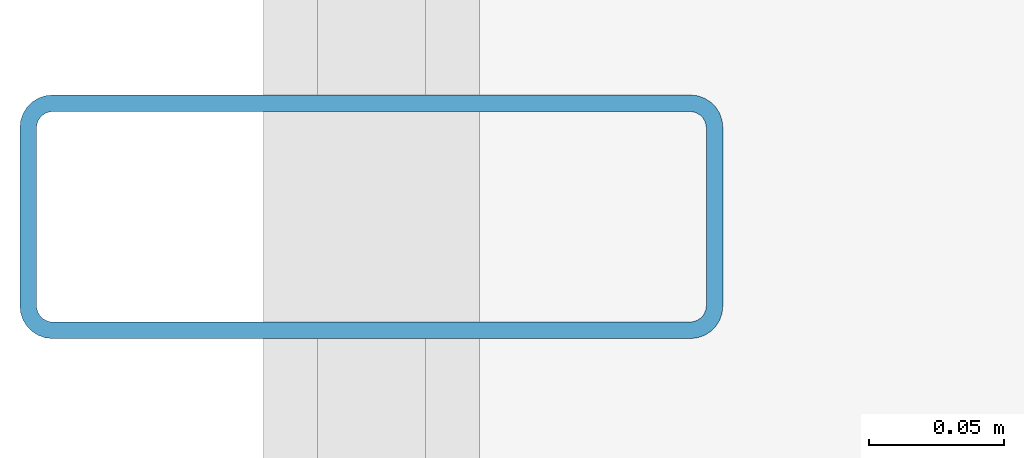
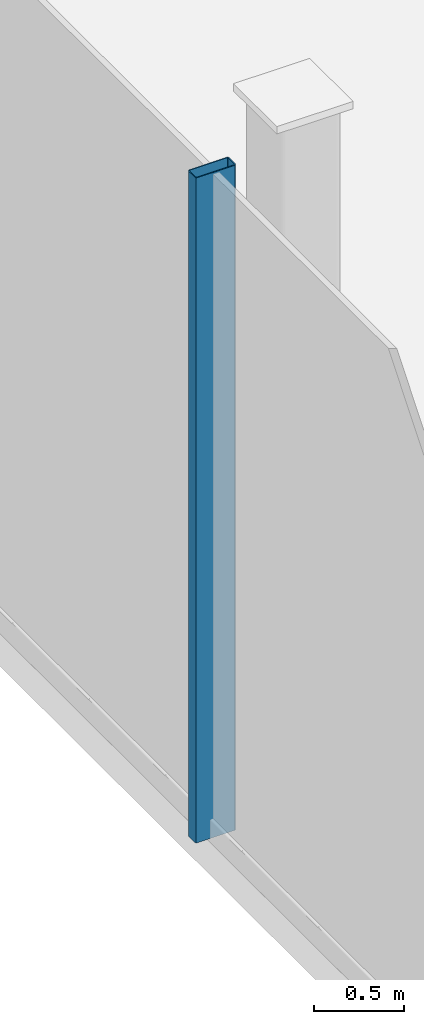
# One storey, part 4 of 17: 1 member, 1 element without a shape of its own.
"""IFC4 building model written with IfcOpenShell, lengths in metres."""

from ifc_helpers import new_model, si_unit, direction, frame, origin, origin_2d, place, context, subcontext, project, spatial, hollow_rectangle, extrude, source, transform, mapped, material, layer, layer_set, material_profile, profile_set, type_object, element, aggregate, save


model = new_model("IFC4")

# Units and contexts
model_context = context("Model", 3, precision=1e-05, world=origin(), true_north=direction((0.0, 1.0)))
body_context = subcontext(model_context, "Body", "Model", "MODEL_VIEW")
ifc_project = project(units=[si_unit("LENGTHUNIT", "METRE"), si_unit("AREAUNIT", "SQUARE_METRE"), si_unit("VOLUMEUNIT", "CUBIC_METRE"), si_unit("PLANEANGLEUNIT", "RADIAN"), si_unit("MASSUNIT", "GRAM", prefix="KILO")], contexts=[model_context])

# Site, building, storey
site_placement = place(None, origin())
site = spatial("IfcSite", under=ifc_project, at=site_placement, CompositionType="ELEMENT")
building_placement = place(site_placement, origin())
building = spatial("IfcBuilding", under=site, at=building_placement, Name="Nefas-Gora Pilgrimage Tower", CompositionType="ELEMENT")
storey_placement = place(building_placement, frame((0.0, 0.0, 353.800048828125)))
storey = spatial("IfcBuildingStorey", under=building, at=storey_placement, Name="L89", CompositionType="ELEMENT", Elevation=353.800048828125)

# Curtain wall, member
ifc_material_1 = material(Name="Dark ceramic-fritted solar-control aluminium-glass curtain wall", Category="aluminium")
ifc_layer = layer(ifc_material_1, 0.219970703125)
ifc_layer_set = layer_set([ifc_layer], Name="Dark ceramic-fritted solar-control aluminium-glass curtain wall")
curtain_wall_type = type_object("IfcCurtainWallType", Name="CW-SYS-6", PredefinedType="NOTDEFINED", material=ifc_layer_set)
curtain_wall_placement = place(storey_placement, origin())
curtain_wall = element("IfcCurtainWall", 1, at=curtain_wall_placement, inside=storey, type_object=curtain_wall_type, Name="L89 Unitised Curtain Wall CW6", PredefinedType="NOTDEFINED")
ifc_material_2 = material(Name="Anodised architectural aluminium", Category="aluminium")
ifc_material_profile = material_profile(ifc_material_2, hollow_rectangle(XDim=0.090087890625, YDim=0.260009765625, WallThickness=0.006103515625, InnerFilletRadius=0.006103515625, OuterFilletRadius=0.011962890625, at=origin_2d()), Name="ALU MULLION 90x260")
ifc_profile_set = profile_set([ifc_material_profile], Name="Anodised architectural aluminium")
member_type = type_object("IfcMemberType", Name="CWM-MUL-6", PredefinedType="MULLION", material=ifc_profile_set)
shared_shape = source(origin(), body_context, "Body", "SweptSolid", [
    extrude(hollow_rectangle(XDim=0.090087890625, YDim=0.260009765625, WallThickness=0.006103515625, InnerFilletRadius=0.006103515625, OuterFilletRadius=0.011962890625, at=origin_2d()), origin(), (0.0, 0.0, 1.0), 4.5),
])
member_placement = place(storey_placement, frame((-25.27001953125, 0.0, 0.0), z_axis=(0.0, 0.0, 1.0), x_axis=(0.0, -1.0, 0.0)))
member = element("IfcMember", 2, at=member_placement, type_object=member_type, Name="CW6 Mullion 2", PredefinedType="MULLION", context=body_context, shape_type="MappedRepresentation", body=[
    mapped(shared_shape, transform((0.0, 0.0, 0.0), x_axis=(1.0, 0.0, 0.0), y_axis=(0.0, 1.0, 0.0), z_axis=(0.0, 0.0, 1.0), scale=1.0)),
])
aggregate(curtain_wall, [member])

save(model, "model.ifc")
